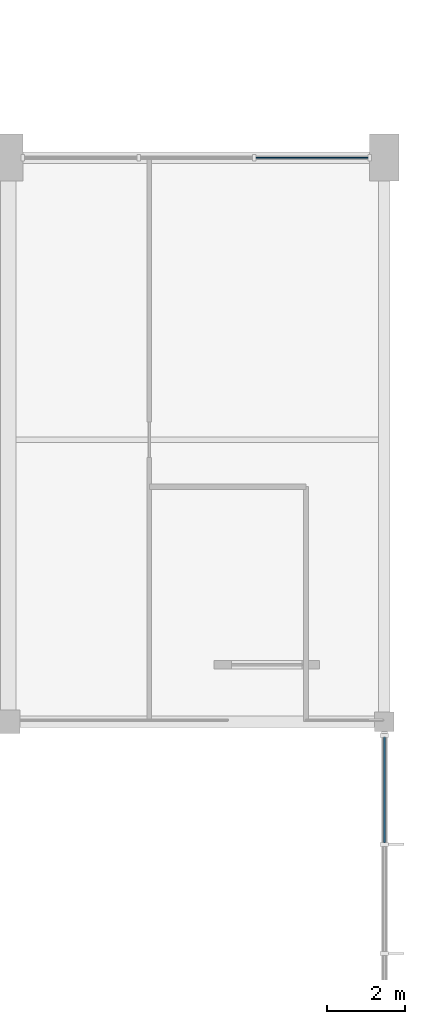
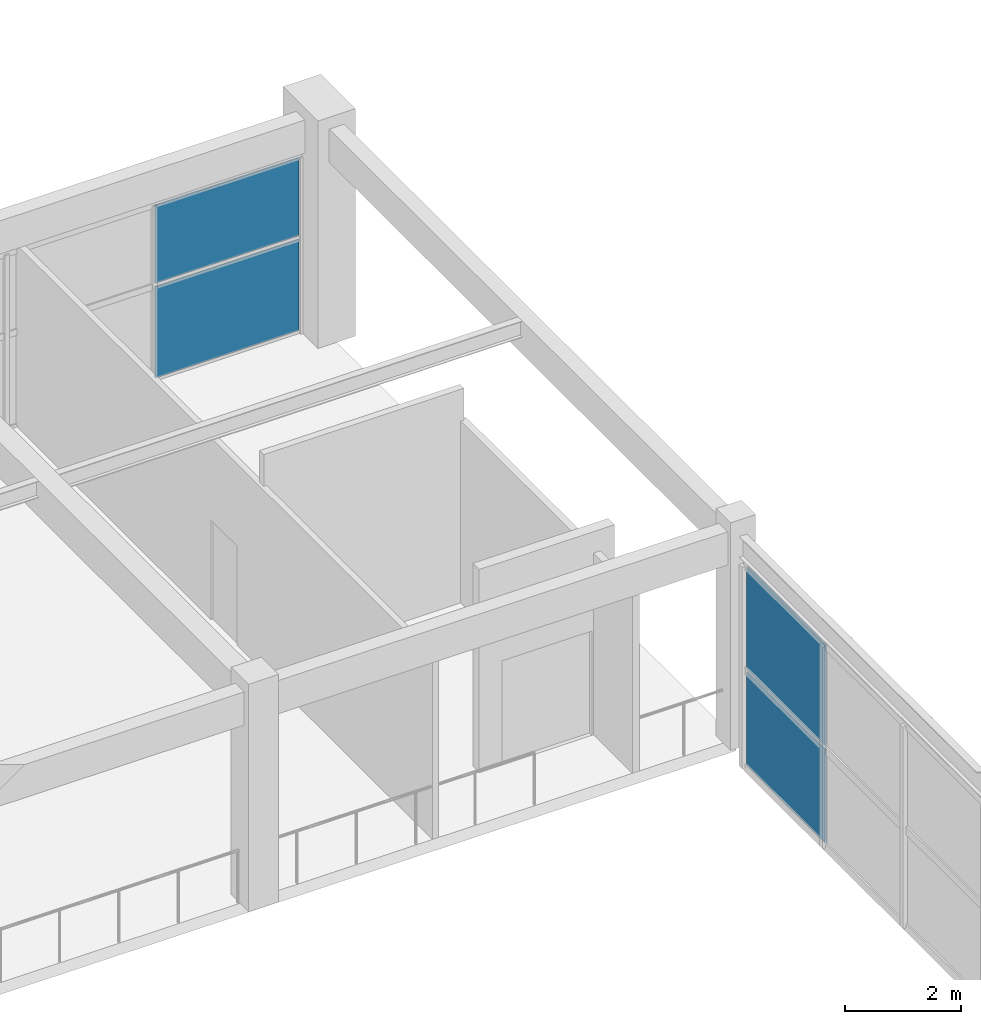
# One storey, part 47 of 74: 4 plates, 2 elements without a shape of their own.
"""IFC4 building model written with IfcOpenShell, lengths in metres."""

import ifcopenshell
import ifcopenshell.guid

model = None  # the IFC model being written
_history = None  # IfcOwnerHistory: only IFC2X3 demands one
_inside = {}  # id of a spatial element -> (the spatial element, [elements in it])
_under = {}  # id of a project, library or spatial element -> (it, [spatial elements below it])
_declared = {}  # id of a project -> (the project, [libraries it declares])
_typed = {}  # id of a type object -> (the type object, [elements of that type])
_made_of = {}  # id of a material, layer set ... -> (it, [elements and type objects made of it])


def new_model(schema):
    """Start an empty IFC model of exactly this schema.

    Asked for "IFC4X3", IfcOpenShell would pick the latest addendum, in which some entities
    have other attributes; the version numbers below select the first issue.
    IFC2X3 requires an IfcOwnerHistory on every rooted entity: one is made here for all.
    """
    global model, _history
    if schema == "IFC4X3":
        model = ifcopenshell.file(schema_version=(4, 3, 0, 0))
    else:
        model = ifcopenshell.file(schema=schema)
    _inside.clear()
    _under.clear()
    _declared.clear()
    _typed.clear()
    _made_of.clear()
    _history = None
    if model.schema == "IFC2X3":
        org = make("IfcOrganization", Name="unknown")
        user = make(
            "IfcPersonAndOrganization",
            ThePerson=make("IfcPerson", FamilyName="unknown"),
            TheOrganization=org,
        )
        app = make(
            "IfcApplication",
            ApplicationDeveloper=org,
            Version="unknown",
            ApplicationFullName="unknown",
            ApplicationIdentifier="unknown",
        )
        _history = make(
            "IfcOwnerHistory",
            OwningUser=user,
            OwningApplication=app,
            ChangeAction="ADDED",
            CreationDate=0,
        )
    return model


def make(cls, **values):
    """One entity of the class cls with the attributes given. An attribute that is None is left unset."""
    return model.create_entity(
        cls, **{name: value for name, value in values.items() if value is not None}
    )


def rooted(cls, **values):
    """An entity with a GlobalId (a new one), such as an element, a storey or a relation."""
    return make(cls, GlobalId=ifcopenshell.guid.new(), OwnerHistory=_history, **values)


def si_unit(unit_type, name, prefix=None):
    """IfcSIUnit, for example si_unit("LENGTHUNIT", "METRE", prefix="MILLI")."""
    return make("IfcSIUnit", UnitType=unit_type, Prefix=prefix, Name=name)


def assignment(units):
    """IfcUnitAssignment: the units of a project."""
    return None if units is None else make("IfcUnitAssignment", Units=units)


def point(xyz):
    """IfcCartesianPoint."""
    return None if xyz is None else make("IfcCartesianPoint", Coordinates=xyz)


def direction(xyz):
    """IfcDirection."""
    return None if xyz is None else make("IfcDirection", DirectionRatios=xyz)


def frame(location, z_axis=None, x_axis=None):
    """IfcAxis2Placement3D, a coordinate frame: its origin and axes. An axis left out is left unset."""
    return make(
        "IfcAxis2Placement3D",
        Location=point(location),
        Axis=direction(z_axis),
        RefDirection=direction(x_axis),
    )


def origin():
    """The frame at (0, 0, 0) with its axes left unset."""
    return frame((0.0, 0.0, 0.0))


def place(relative_to, where):
    """IfcLocalPlacement: puts the frame where relative to a parent placement (None: the world)."""
    return make(
        "IfcLocalPlacement", PlacementRelTo=relative_to, RelativePlacement=where
    )


def context(
    kind, dimensions, precision=None, world=None, true_north=None, identifier=None
):
    """IfcGeometricRepresentationContext, for example the 3D "Model" context."""
    return make(
        "IfcGeometricRepresentationContext",
        ContextIdentifier=identifier,
        ContextType=kind,
        CoordinateSpaceDimension=dimensions,
        Precision=precision,
        WorldCoordinateSystem=world,
        TrueNorth=true_north,
    )


def subcontext(parent, identifier, kind, view, scale=None):
    """IfcGeometricRepresentationSubContext, for example "Body" below "Model"."""
    return make(
        "IfcGeometricRepresentationSubContext",
        ContextIdentifier=identifier,
        ContextType=kind,
        ParentContext=parent,
        TargetScale=scale,
        TargetView=view,
    )


def project(units=None, contexts=None):
    """IfcProject with its units and contexts."""
    return rooted(
        "IfcProject",
        Name="project",
        RepresentationContexts=contexts,
        UnitsInContext=assignment(units),
    )


def spatial(cls, under=None, at=None, **own):
    """A site, building, storey or space (cls), placed at a placement, below another one or the project."""
    s = rooted(cls, ObjectPlacement=at, **own)
    if under is not None:
        _under.setdefault(under.id(), (under, []))[1].append(s)
    return s


def polyline(points):
    """IfcPolyline through the points."""
    return make("IfcPolyline", Points=[point(p) for p in points])


def outline(outer, holes=None, kind="AREA"):
    """IfcArbitraryClosedProfileDef: a profile drawn as a closed curve; with holes, ...WithVoids."""
    if holes is None:
        return make("IfcArbitraryClosedProfileDef", ProfileType=kind, OuterCurve=outer)
    return make(
        "IfcArbitraryProfileDefWithVoids",
        ProfileType=kind,
        OuterCurve=outer,
        InnerCurves=holes,
    )


def extrude(swept, where, along, depth):
    """IfcExtrudedAreaSolid: the profile swept, set in the frame where, extruded along a direction by depth."""
    return make(
        "IfcExtrudedAreaSolid",
        SweptArea=swept,
        Position=where,
        ExtrudedDirection=direction(along),
        Depth=depth,
    )


def shape(context_of_items, identifier, shape_type, items):
    """IfcShapeRepresentation: the items that make up one representation, for example the "Body"."""
    return make(
        "IfcShapeRepresentation",
        ContextOfItems=context_of_items,
        RepresentationIdentifier=identifier,
        RepresentationType=shape_type,
        Items=items,
    )


def material(Name=None, Category=None):
    """IfcMaterial."""
    return make("IfcMaterial", Name=Name, Category=Category)


def layer(
    of_material, thickness, ventilated=None, Name=None, Category=None, Priority=None
):
    """IfcMaterialLayer: one layer of a wall or slab, of a material (None: an air gap)."""
    return make(
        "IfcMaterialLayer",
        Material=of_material,
        LayerThickness=thickness,
        IsVentilated=ventilated,
        Name=Name,
        Category=Category,
        Priority=Priority,
    )


def layer_set(layers, Name=None):
    """IfcMaterialLayerSet."""
    return make("IfcMaterialLayerSet", MaterialLayers=layers, LayerSetName=Name)


def made_of(thing, what):
    """Note that an element or type object is made of a material, layer set ...; save() writes the relation."""
    if what is not None:
        _made_of.setdefault(what.id(), (what, []))[1].append(thing)
    return thing


def type_object(cls, material=None, **own):
    """A type object (cls), such as IfcWallType, which elements share."""
    return made_of(rooted(cls, **own), material)


def element(
    cls,
    number,
    at=None,
    inside=None,
    cuts=None,
    type_object=None,
    material=None,
    context=None,
    identifier="Body",
    shape_type=None,
    held_by="IfcProductDefinitionShape",
    body=None,
    shapes=None,
    **own,
):
    """One element of the class cls, such as IfcWall. Its Tag is "e" and its number.

    at: its placement. inside: the storey or other place that contains it. cuts: it is an
    opening in that element (IfcRelVoidsElement). A single representation is given by context,
    identifier, shape_type and body (its items); several are given by shapes. held_by: the class
    of the entity that holds the representations. save() writes the other relations.
    """
    e = rooted(cls, Tag="e%d" % number, ObjectPlacement=at, **own)
    if body is not None:
        shapes = [shape(context, identifier, shape_type, body)]
    if shapes is not None:
        e.Representation = make(held_by, Representations=shapes)
    if inside is not None:
        _inside.setdefault(inside.id(), (inside, []))[1].append(e)
    if cuts is not None:
        rooted(
            "IfcRelVoidsElement", RelatingBuildingElement=cuts, RelatedOpeningElement=e
        )
    if type_object is not None:
        _typed.setdefault(type_object.id(), (type_object, []))[1].append(e)
    return made_of(e, material)


def aggregate(whole, parts):
    """IfcRelAggregates: a whole, such as a stair, and the parts it consists of."""
    return rooted("IfcRelAggregates", RelatingObject=whole, RelatedObjects=parts)


def save(model, path):
    """Write the relations noted so far, then the file.

    IfcRelAggregates (storeys below a building ...), IfcRelContainedInSpatialStructure (elements
    in a storey), IfcRelDefinesByType, IfcRelAssociatesMaterial and IfcRelDeclares: one each for
    every whole, place, type object, material and project.
    """
    for whole, parts in _under.values():
        aggregate(whole, parts)
    for where, things in _inside.values():
        rooted(
            "IfcRelContainedInSpatialStructure",
            RelatedElements=things,
            RelatingStructure=where,
        )
    for kind, things in _typed.values():
        rooted("IfcRelDefinesByType", RelatedObjects=things, RelatingType=kind)
    for what, things in _made_of.values():
        rooted("IfcRelAssociatesMaterial", RelatedObjects=things, RelatingMaterial=what)
    for by, libraries in _declared.values():
        rooted("IfcRelDeclares", RelatingContext=by, RelatedDefinitions=libraries)
    model.write(path)


model = new_model("IFC4")

# Units and contexts
model_context = context("Model", 3, precision=1e-05, world=origin(), true_north=direction((0.0, 1.0)))
body_context = subcontext(model_context, "Body", "Model", "MODEL_VIEW")
ifc_project = project(units=[si_unit("LENGTHUNIT", "METRE"), si_unit("AREAUNIT", "SQUARE_METRE"), si_unit("VOLUMEUNIT", "CUBIC_METRE"), si_unit("PLANEANGLEUNIT", "RADIAN"), si_unit("MASSUNIT", "GRAM", prefix="KILO")], contexts=[model_context])

# Site, building, storey
site_placement = place(None, origin())
site = spatial("IfcSite", under=ifc_project, at=site_placement, CompositionType="ELEMENT")
building_placement = place(site_placement, origin())
building = spatial("IfcBuilding", under=site, at=building_placement, Name="Suirenkawa Promenade Aquatics Centre", CompositionType="ELEMENT")
storey_placement = place(building_placement, frame((0.0, 0.0, 4.800048828125)))
storey = spatial("IfcBuildingStorey", under=building, at=storey_placement, Name="L01", CompositionType="ELEMENT", Elevation=4.800048828125)

# Curtain wall, plates
ifc_material_1 = material(Name="Anodised aluminium 6063-T6", Category="aluminium")
curtain_wall_type_1 = type_object("IfcCurtainWallType", Name="CWAT-V2GL01-18", PredefinedType="NOTDEFINED", material=ifc_material_1)
curtain_wall_1_placement = place(storey_placement, origin())
curtain_wall_1 = element("IfcCurtainWall", 1, at=curtain_wall_1_placement, inside=storey, type_object=curtain_wall_type_1, Name="Curtain wall CWA-18 CW-046", PredefinedType="NOTDEFINED")
ifc_material_2 = material(Name="Low-E thermally broken double glazing", Category="glass")
ifc_layer_1 = layer(ifc_material_2, 0.028076171875, Name="Low-E thermally broken double glazing", Category="glass")
ifc_layer_set_1 = layer_set([ifc_layer_1], Name="Low-E thermally broken double glazing")
plate_type_1 = type_object("IfcPlateType", Name="CWP-LOWE-28", PredefinedType="CURTAIN_PANEL", material=ifc_layer_set_1)
plate_1_placement = place(storey_placement, frame((191.075439453125, 100.800048828125, 0.0400390625), z_axis=(0.0, 0.0, 1.0), x_axis=(1.0, 0.0, 0.0)))
plate_1 = element("IfcPlate", 2, at=plate_1_placement, type_object=plate_type_1, Name="Glazed panel CP-02 CWP-00954", PredefinedType="CURTAIN_PANEL", context=body_context, shape_type="SweptSolid", body=[
    extrude(outline(polyline([(0.0400390625, 0.0), (2.91064453125, 0.0), (2.91064453125, 1.919921875), (0.0400390625, 1.919921875), (0.0400390625, 0.0)])), frame((0.0, 0.01416015625, 0.0), z_axis=(0.0, -1.0, 0.0), x_axis=(1.0, 0.0, 0.0)), (0.0, 0.0, 1.0), 0.028076171875),
])
plate_2_placement = place(storey_placement, frame((191.075439453125, 100.800048828125, 2.0400390625), z_axis=(0.0, 0.0, 1.0), x_axis=(1.0, 0.0, 0.0)))
plate_2 = element("IfcPlate", 3, at=plate_2_placement, type_object=plate_type_1, Name="Top glazed panel CP-02 CWP-00955", PredefinedType="CURTAIN_PANEL", context=body_context, shape_type="SweptSolid", body=[
    extrude(outline(polyline([(0.0400390625, 0.0), (2.91064453125, 0.0), (2.91064453125, 1.639892578125), (0.0400390625, 1.639892578125), (0.0400390625, 0.0)])), frame((0.0, 0.01416015625, 0.0), z_axis=(0.0, -1.0, 0.0), x_axis=(1.0, 0.0, 0.0)), (0.0, 0.0, 1.0), 0.028076171875),
])
aggregate(curtain_wall_1, [plate_1, plate_2])

curtain_wall_type_2 = type_object("IfcCurtainWallType", Name="CWAT-V2E-22", PredefinedType="NOTDEFINED", material=ifc_material_1)
curtain_wall_2_placement = place(storey_placement, origin())
curtain_wall_2 = element("IfcCurtainWall", 4, at=curtain_wall_2_placement, inside=storey, type_object=curtain_wall_type_2, Name="Curtain wall CWA-22 CW-052", PredefinedType="NOTDEFINED")
ifc_material_3 = material(Name="Ceramic-fritted low-SHGC double glazing", Category="glass")
ifc_layer_2 = layer(ifc_material_3, 0.035888671875, Name="Ceramic-fritted low-SHGC double glazing", Category="glass")
ifc_layer_set_2 = layer_set([ifc_layer_2], Name="Ceramic-fritted low-SHGC double glazing")
plate_type_2 = type_object("IfcPlateType", Name="CWP-SHOJI-36", PredefinedType="CURTAIN_PANEL", material=ifc_layer_set_2)
plate_3_placement = place(storey_placement, frame((194.39990234375, 86.051025390625, -0.31005859375), z_axis=(0.0, 0.0, 1.0), x_axis=(0.0, -1.0, 0.0)))
plate_3 = element("IfcPlate", 5, at=plate_3_placement, type_object=plate_type_2, Name="Glazed panel CP-01 CWP-01040", PredefinedType="CURTAIN_PANEL", context=body_context, shape_type="SweptSolid", body=[
    extrude(outline(polyline([(0.0400390625, 0.0), (2.743896484375, 0.0), (2.743896484375, 1.969970703125), (0.0400390625, 1.969970703125), (0.0400390625, 0.0)])), frame((0.0, 0.01806640625, 0.0), z_axis=(0.0, -1.0, 0.0), x_axis=(1.0, 0.0, 0.0)), (0.0, 0.0, 1.0), 0.035888671875),
])
plate_4_placement = place(storey_placement, frame((194.39990234375, 86.051025390625, 1.739990234375), z_axis=(0.0, 0.0, 1.0), x_axis=(0.0, -1.0, 0.0)))
plate_4 = element("IfcPlate", 6, at=plate_4_placement, type_object=plate_type_2, Name="Top glazed panel CP-01 CWP-01041", PredefinedType="CURTAIN_PANEL", context=body_context, shape_type="SweptSolid", body=[
    extrude(outline(polyline([(0.0400390625, 0.0), (2.743896484375, 0.0), (2.743896484375, 2.125), (0.0400390625, 2.125), (0.0400390625, 0.0)])), frame((0.0, 0.01806640625, 0.0), z_axis=(0.0, -1.0, 0.0), x_axis=(1.0, 0.0, 0.0)), (0.0, 0.0, 1.0), 0.035888671875),
])
aggregate(curtain_wall_2, [plate_3, plate_4])

save(model, "model.ifc")
